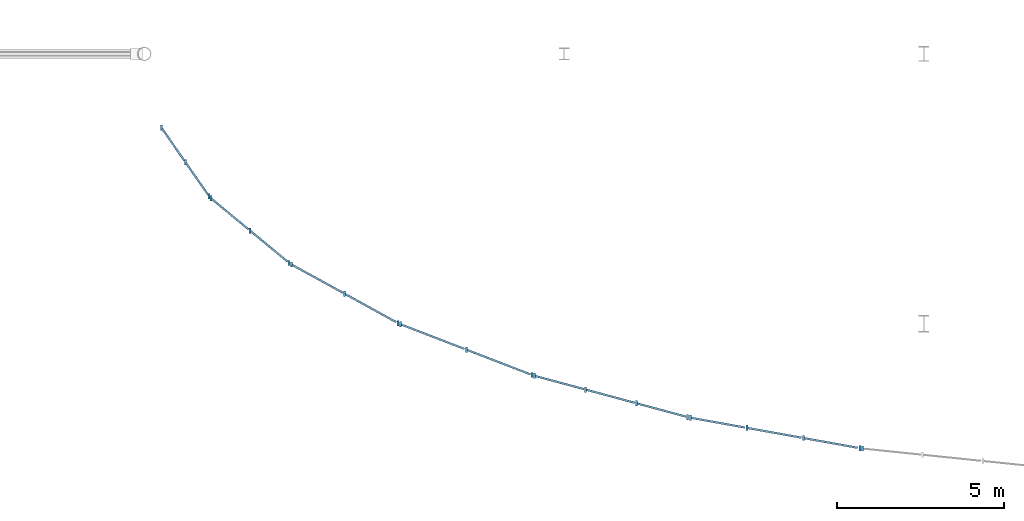
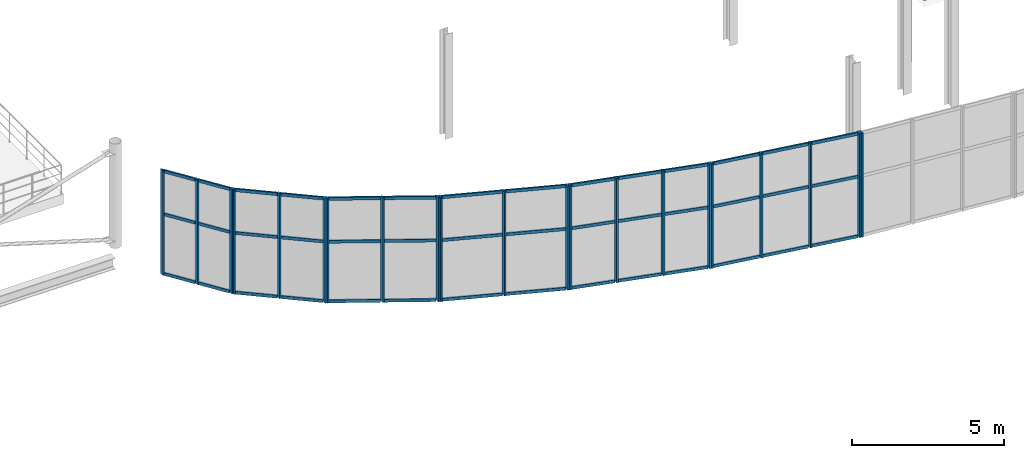
# One storey, part 33 of 89: 63 members, 7 elements without a shape of their own.
"""IFC4 building model written with IfcOpenShell, lengths in metres."""

from ifc_helpers import new_model, si_unit, direction, frame, origin, origin_2d, place, context, subcontext, project, spatial, rectangle, extrude, material, material_profile, profile_set, type_object, element, aggregate, save


model = new_model("IFC4")

# Units and contexts
model_context = context("Model", 3, precision=1e-05, world=origin(), true_north=direction((0.0, 1.0)))
body_context = subcontext(model_context, "Body", "Model", "MODEL_VIEW")
ifc_project = project(units=[si_unit("LENGTHUNIT", "METRE"), si_unit("AREAUNIT", "SQUARE_METRE"), si_unit("VOLUMEUNIT", "CUBIC_METRE"), si_unit("PLANEANGLEUNIT", "RADIAN"), si_unit("MASSUNIT", "GRAM", prefix="KILO"), si_unit("THERMODYNAMICTEMPERATUREUNIT", "KELVIN"), si_unit("POWERUNIT", "WATT")], contexts=[model_context])

# Site, building, storey
site_placement = place(None, origin())
site = spatial("IfcSite", under=ifc_project, at=site_placement, CompositionType="ELEMENT")
building_placement = place(site_placement, origin())
building = spatial("IfcBuilding", under=site, at=building_placement, Name="Solmara Park Aquatics Centre", CompositionType="ELEMENT")
storey_placement = place(building_placement, frame((0.0, 0.0, 5.39990234375)))
storey = spatial("IfcBuildingStorey", under=building, at=storey_placement, Name="L01", CompositionType="ELEMENT", Elevation=5.39990234375)

# Curtain wall, members
ifc_material_1 = material(Name="Anodised Aluminium Curtain Wall Framing", Category="aluminium")
curtain_wall_type = type_object("IfcCurtainWallType", Name="ARC-CW-SYS04", PredefinedType="USERDEFINED", material=ifc_material_1)
curtain_wall_1_placement = place(storey_placement, origin())
curtain_wall_1 = element("IfcCurtainWall", 1, at=curtain_wall_1_placement, inside=storey, type_object=curtain_wall_type, Name="Curtain Wall CW-028", ObjectType="CURTAIN WALL", PredefinedType="USERDEFINED")
ifc_material_2 = material(Name="Anodised Aluminium Alloy 6063-T6", Category="aluminium")
ifc_material_profile_1 = material_profile(ifc_material_2, rectangle(XDim=0.06005859375, YDim=0.159912109375, at=origin_2d()), Name="ALU MULLION 60x160")
ifc_profile_set_1 = profile_set([ifc_material_profile_1], Name="Anodised Aluminium Alloy 6063-T6")
member_type_1 = type_object("IfcMemberType", Name="ARC-CWM-60x160", PredefinedType="MULLION", material=ifc_profile_set_1)
member_1_placement = place(storey_placement, frame((97.11962890625, 10.379150390625, 0.0), z_axis=(0.0, 0.0, 1.0), x_axis=(1.0, 0.0, 0.0)))
member_1 = element("IfcMember", 2, at=member_1_placement, type_object=member_type_1, Name="CW-028 mullion 1", PredefinedType="MULLION", context=body_context, shape_type="SweptSolid", body=[
    extrude(rectangle(XDim=0.06005859375, YDim=0.159912109375, at=origin_2d()), origin(), (0.0, 0.0, 1.0), 4.2001953125),
])
member_2_placement = place(storey_placement, frame((97.83447265625, 9.351318359375, 0.0), z_axis=(0.0, 0.0, 1.0), x_axis=(1.0, 0.0, 0.0)))
member_2 = element("IfcMember", 3, at=member_2_placement, type_object=member_type_1, Name="CW-028 mullion 2", PredefinedType="MULLION", context=body_context, shape_type="SweptSolid", body=[
    extrude(rectangle(XDim=0.06005859375, YDim=0.159912109375, at=origin_2d()), origin(), (0.0, 0.0, 1.0), 4.2001953125),
])
member_3_placement = place(storey_placement, frame((98.54931640625, 8.3232421875, 0.0), z_axis=(0.0, 0.0, 1.0), x_axis=(1.0, 0.0, 0.0)))
member_3 = element("IfcMember", 4, at=member_3_placement, type_object=member_type_1, Name="CW-028 mullion 3", PredefinedType="MULLION", context=body_context, shape_type="SweptSolid", body=[
    extrude(rectangle(XDim=0.06005859375, YDim=0.159912109375, at=origin_2d()), origin(), (0.0, 0.0, 1.0), 4.2001953125),
])

curtain_wall_2_placement = place(storey_placement, origin())
curtain_wall_2 = element("IfcCurtainWall", 5, at=curtain_wall_2_placement, inside=storey, type_object=curtain_wall_type, Name="Curtain Wall CW-030", ObjectType="CURTAIN WALL", PredefinedType="USERDEFINED")
member_4_placement = place(storey_placement, frame((98.602783203125, 8.264892578125, 0.0), z_axis=(0.0, 0.0, 1.0), x_axis=(1.0, 0.0, 0.0)))
member_4 = element("IfcMember", 6, at=member_4_placement, type_object=member_type_1, Name="CW-030 mullion 1", PredefinedType="MULLION", context=body_context, shape_type="SweptSolid", body=[
    extrude(rectangle(XDim=0.06005859375, YDim=0.159912109375, at=origin_2d()), origin(), (0.0, 0.0, 1.0), 4.2001953125),
])
member_5_placement = place(storey_placement, frame((99.776611328125, 7.295166015625, 0.0), z_axis=(0.0, 0.0, 1.0), x_axis=(1.0, 0.0, 0.0)))
member_5 = element("IfcMember", 7, at=member_5_placement, type_object=member_type_1, Name="CW-030 mullion 2", PredefinedType="MULLION", context=body_context, shape_type="SweptSolid", body=[
    extrude(rectangle(XDim=0.06005859375, YDim=0.159912109375, at=origin_2d()), origin(), (0.0, 0.0, 1.0), 4.2001953125),
])
member_6_placement = place(storey_placement, frame((100.9501953125, 6.325439453125, 0.0), z_axis=(0.0, 0.0, 1.0), x_axis=(1.0, 0.0, 0.0)))
member_6 = element("IfcMember", 8, at=member_6_placement, type_object=member_type_1, Name="CW-030 mullion 3", PredefinedType="MULLION", context=body_context, shape_type="SweptSolid", body=[
    extrude(rectangle(XDim=0.06005859375, YDim=0.159912109375, at=origin_2d()), origin(), (0.0, 0.0, 1.0), 4.2001953125),
])

curtain_wall_3_placement = place(storey_placement, origin())
curtain_wall_3 = element("IfcCurtainWall", 9, at=curtain_wall_3_placement, inside=storey, type_object=curtain_wall_type, Name="Curtain Wall CW-032", ObjectType="CURTAIN WALL", PredefinedType="USERDEFINED")
member_7_placement = place(storey_placement, frame((101.01611328125, 6.28076171875, 0.0), z_axis=(0.0, 0.0, 1.0), x_axis=(1.0, 0.0, 0.0)))
member_7 = element("IfcMember", 10, at=member_7_placement, type_object=member_type_1, Name="CW-032 mullion 1", PredefinedType="MULLION", context=body_context, shape_type="SweptSolid", body=[
    extrude(rectangle(XDim=0.06005859375, YDim=0.159912109375, at=origin_2d()), origin(), (0.0, 0.0, 1.0), 4.2001953125),
])
member_8_placement = place(storey_placement, frame((102.615478515625, 5.400390625, 0.0), z_axis=(0.0, 0.0, 1.0), x_axis=(1.0, 0.0, 0.0)))
member_8 = element("IfcMember", 11, at=member_8_placement, type_object=member_type_1, Name="CW-032 mullion 2", PredefinedType="MULLION", context=body_context, shape_type="SweptSolid", body=[
    extrude(rectangle(XDim=0.06005859375, YDim=0.159912109375, at=origin_2d()), origin(), (0.0, 0.0, 1.0), 4.2001953125),
])
member_9_placement = place(storey_placement, frame((104.21533203125, 4.520263671875, 0.0), z_axis=(0.0, 0.0, 1.0), x_axis=(1.0, 0.0, 0.0)))
member_9 = element("IfcMember", 12, at=member_9_placement, type_object=member_type_1, Name="CW-032 mullion 3", PredefinedType="MULLION", context=body_context, shape_type="SweptSolid", body=[
    extrude(rectangle(XDim=0.06005859375, YDim=0.159912109375, at=origin_2d()), origin(), (0.0, 0.0, 1.0), 4.2001953125),
])

curtain_wall_4_placement = place(storey_placement, origin())
curtain_wall_4 = element("IfcCurtainWall", 13, at=curtain_wall_4_placement, inside=storey, type_object=curtain_wall_type, Name="Curtain Wall CW-034", ObjectType="CURTAIN WALL", PredefinedType="USERDEFINED")
member_10_placement = place(storey_placement, frame((104.28759765625, 4.486572265625, 0.0), z_axis=(0.0, 0.0, 1.0), x_axis=(1.0, 0.0, 0.0)))
member_10 = element("IfcMember", 14, at=member_10_placement, type_object=member_type_1, Name="CW-034 mullion 1", PredefinedType="MULLION", context=body_context, shape_type="SweptSolid", body=[
    extrude(rectangle(XDim=0.06005859375, YDim=0.159912109375, at=origin_2d()), origin(), (0.0, 0.0, 1.0), 4.2001953125),
])
member_11_placement = place(storey_placement, frame((106.265380859375, 3.724365234375, 0.0), z_axis=(0.0, 0.0, 1.0), x_axis=(1.0, 0.0, 0.0)))
member_11 = element("IfcMember", 15, at=member_11_placement, type_object=member_type_1, Name="CW-034 mullion 2", PredefinedType="MULLION", context=body_context, shape_type="SweptSolid", body=[
    extrude(rectangle(XDim=0.06005859375, YDim=0.159912109375, at=origin_2d()), origin(), (0.0, 0.0, 1.0), 4.2001953125),
])
member_12_placement = place(storey_placement, frame((108.243408203125, 2.962158203125, 0.0), z_axis=(0.0, 0.0, 1.0), x_axis=(1.0, 0.0, 0.0)))
member_12 = element("IfcMember", 16, at=member_12_placement, type_object=member_type_1, Name="CW-034 mullion 3", PredefinedType="MULLION", context=body_context, shape_type="SweptSolid", body=[
    extrude(rectangle(XDim=0.06005859375, YDim=0.159912109375, at=origin_2d()), origin(), (0.0, 0.0, 1.0), 4.2001953125),
])

curtain_wall_5_placement = place(storey_placement, origin())
curtain_wall_5 = element("IfcCurtainWall", 17, at=curtain_wall_5_placement, inside=storey, type_object=curtain_wall_type, Name="Curtain Wall CW-036", ObjectType="CURTAIN WALL", PredefinedType="USERDEFINED")
member_13_placement = place(storey_placement, frame((108.3193359375, 2.9375, 0.0), z_axis=(0.0, 0.0, 1.0), x_axis=(1.0, 0.0, 0.0)))
member_13 = element("IfcMember", 18, at=member_13_placement, type_object=member_type_1, Name="CW-036 mullion 1", PredefinedType="MULLION", context=body_context, shape_type="SweptSolid", body=[
    extrude(rectangle(XDim=0.06005859375, YDim=0.159912109375, at=origin_2d()), origin(), (0.0, 0.0, 1.0), 4.2001953125),
])
member_14_placement = place(storey_placement, frame((109.85009765625, 2.5244140625, 0.0), z_axis=(0.0, 0.0, 1.0), x_axis=(1.0, 0.0, 0.0)))
member_14 = element("IfcMember", 19, at=member_14_placement, type_object=member_type_1, Name="CW-036 mullion 2", PredefinedType="MULLION", context=body_context, shape_type="SweptSolid", body=[
    extrude(rectangle(XDim=0.06005859375, YDim=0.159912109375, at=origin_2d()), origin(), (0.0, 0.0, 1.0), 4.2001953125),
])
member_15_placement = place(storey_placement, frame((111.380615234375, 2.111572265625, 0.0), z_axis=(0.0, 0.0, 1.0), x_axis=(1.0, 0.0, 0.0)))
member_15 = element("IfcMember", 20, at=member_15_placement, type_object=member_type_1, Name="CW-036 mullion 3", PredefinedType="MULLION", context=body_context, shape_type="SweptSolid", body=[
    extrude(rectangle(XDim=0.06005859375, YDim=0.159912109375, at=origin_2d()), origin(), (0.0, 0.0, 1.0), 4.2001953125),
])
member_16_placement = place(storey_placement, frame((112.911376953125, 1.698486328125, 0.0), z_axis=(0.0, 0.0, 1.0), x_axis=(1.0, 0.0, 0.0)))
member_16 = element("IfcMember", 21, at=member_16_placement, type_object=member_type_1, Name="CW-036 mullion 4", PredefinedType="MULLION", context=body_context, shape_type="SweptSolid", body=[
    extrude(rectangle(XDim=0.06005859375, YDim=0.159912109375, at=origin_2d()), origin(), (0.0, 0.0, 1.0), 4.2001953125),
])

curtain_wall_6_placement = place(storey_placement, origin())
curtain_wall_6 = element("IfcCurtainWall", 22, at=curtain_wall_6_placement, inside=storey, type_object=curtain_wall_type, Name="Curtain Wall CW-038", ObjectType="CURTAIN WALL", PredefinedType="USERDEFINED")
member_17_placement = place(storey_placement, frame((112.989501953125, 1.680908203125, 0.0), z_axis=(0.0, 0.0, 1.0), x_axis=(1.0, 0.0, 0.0)))
member_17 = element("IfcMember", 23, at=member_17_placement, type_object=member_type_1, Name="CW-038 mullion 1", PredefinedType="MULLION", context=body_context, shape_type="SweptSolid", body=[
    extrude(rectangle(XDim=0.06005859375, YDim=0.159912109375, at=origin_2d()), origin(), (0.0, 0.0, 1.0), 4.2001953125),
])
member_18_placement = place(storey_placement, frame((114.68505859375, 1.376220703125, 0.0), z_axis=(0.0, 0.0, 1.0), x_axis=(1.0, 0.0, 0.0)))
member_18 = element("IfcMember", 24, at=member_18_placement, type_object=member_type_1, Name="CW-038 mullion 2", PredefinedType="MULLION", context=body_context, shape_type="SweptSolid", body=[
    extrude(rectangle(XDim=0.06005859375, YDim=0.159912109375, at=origin_2d()), origin(), (0.0, 0.0, 1.0), 4.2001953125),
])
member_19_placement = place(storey_placement, frame((116.380859375, 1.07177734375, 0.0), z_axis=(0.0, 0.0, 1.0), x_axis=(1.0, 0.0, 0.0)))
member_19 = element("IfcMember", 25, at=member_19_placement, type_object=member_type_1, Name="CW-038 mullion 3", PredefinedType="MULLION", context=body_context, shape_type="SweptSolid", body=[
    extrude(rectangle(XDim=0.06005859375, YDim=0.159912109375, at=origin_2d()), origin(), (0.0, 0.0, 1.0), 4.2001953125),
])
member_20_placement = place(storey_placement, frame((118.076416015625, 0.76708984375, 0.0), z_axis=(0.0, 0.0, 1.0), x_axis=(1.0, 0.0, 0.0)))
member_20 = element("IfcMember", 26, at=member_20_placement, type_object=member_type_1, Name="CW-038 mullion 4", PredefinedType="MULLION", context=body_context, shape_type="SweptSolid", body=[
    extrude(rectangle(XDim=0.06005859375, YDim=0.159912109375, at=origin_2d()), origin(), (0.0, 0.0, 1.0), 4.2001953125),
])

# Curtain wall, member
curtain_wall_7_placement = place(storey_placement, origin())
curtain_wall_7 = element("IfcCurtainWall", 27, at=curtain_wall_7_placement, inside=storey, type_object=curtain_wall_type, Name="Curtain Wall CW-041", ObjectType="CURTAIN WALL", PredefinedType="USERDEFINED")
member_21_placement = place(storey_placement, frame((118.15576171875, 0.755859375, 0.0), z_axis=(0.0, 0.0, 1.0), x_axis=(1.0, 0.0, 0.0)))
member_21 = element("IfcMember", 28, at=member_21_placement, type_object=member_type_1, Name="CW-041 mullion 1", PredefinedType="MULLION", context=body_context, shape_type="SweptSolid", body=[
    extrude(rectangle(XDim=0.06005859375, YDim=0.159912109375, at=origin_2d()), origin(), (0.0, 0.0, 1.0), 4.2001953125),
])
aggregate(curtain_wall_7, [member_21])

# Member
ifc_material_profile_2 = material_profile(ifc_material_2, rectangle(XDim=0.06005859375, YDim=0.1201171875, at=origin_2d()), Name="ALU TRANSOM 60x120")
ifc_profile_set_2 = profile_set([ifc_material_profile_2], Name="Anodised Aluminium Alloy 6063-T6")
member_type_2 = type_object("IfcMemberType", Name="ARC-CWT-60x120", PredefinedType="USERDEFINED", material=ifc_profile_set_2)
member_22_placement = place(storey_placement, frame((97.131103515625, 10.36279296875, 0.0400390625), z_axis=(0.570887505732, -0.821028291717, 0.0), x_axis=(0.821028291717, 0.570887505732, 0.0)))
member_22 = element("IfcMember", 29, at=member_22_placement, type_object=member_type_2, Name="CW-028 transom 1", ObjectType="TRANSOM", PredefinedType="USERDEFINED", context=body_context, shape_type="SweptSolid", body=[
    extrude(rectangle(XDim=0.06005859375, YDim=0.1201171875, at=origin_2d()), origin(), (0.0, 0.0, 1.0), 1.172119140625),
])

member_23_placement = place(storey_placement, frame((97.131103515625, 10.36279296875, 2.43603515625), z_axis=(0.570887505732, -0.821028291717, 0.0), x_axis=(0.821028291717, 0.570887505732, 0.0)))
member_23 = element("IfcMember", 30, at=member_23_placement, type_object=member_type_2, Name="CW-028 transom 2", ObjectType="TRANSOM", PredefinedType="USERDEFINED", context=body_context, shape_type="SweptSolid", body=[
    extrude(rectangle(XDim=0.06005859375, YDim=0.1201171875, at=origin_2d()), origin(), (0.0, 0.0, 1.0), 1.172119140625),
])

member_24_placement = place(storey_placement, frame((97.131103515625, 10.36279296875, 4.16015625), z_axis=(0.570887505732, -0.821028291717, 0.0), x_axis=(0.821028291717, 0.570887505732, 0.0)))
member_24 = element("IfcMember", 31, at=member_24_placement, type_object=member_type_2, Name="CW-028 transom 3", ObjectType="TRANSOM", PredefinedType="USERDEFINED", context=body_context, shape_type="SweptSolid", body=[
    extrude(rectangle(XDim=0.06005859375, YDim=0.1201171875, at=origin_2d()), origin(), (0.0, 0.0, 1.0), 1.172119140625),
])

member_25_placement = place(storey_placement, frame((97.845947265625, 9.334716796875, 0.0400390625), z_axis=(0.570844718132, -0.821058041664, 0.0), x_axis=(0.821058041664, 0.570844718132, 0.0)))
member_25 = element("IfcMember", 32, at=member_25_placement, type_object=member_type_2, Name="CW-028 transom 4", ObjectType="TRANSOM", PredefinedType="USERDEFINED", context=body_context, shape_type="SweptSolid", body=[
    extrude(rectangle(XDim=0.06005859375, YDim=0.1201171875, at=origin_2d()), origin(), (0.0, 0.0, 1.0), 1.171875),
])

member_26_placement = place(storey_placement, frame((97.845947265625, 9.334716796875, 2.43603515625), z_axis=(0.570844718132, -0.821058041664, 0.0), x_axis=(0.821058041664, 0.570844718132, 0.0)))
member_26 = element("IfcMember", 33, at=member_26_placement, type_object=member_type_2, Name="CW-028 transom 5", ObjectType="TRANSOM", PredefinedType="USERDEFINED", context=body_context, shape_type="SweptSolid", body=[
    extrude(rectangle(XDim=0.06005859375, YDim=0.1201171875, at=origin_2d()), origin(), (0.0, 0.0, 1.0), 1.171875),
])

member_27_placement = place(storey_placement, frame((97.845947265625, 9.334716796875, 4.16015625), z_axis=(0.570844718132, -0.821058041664, 0.0), x_axis=(0.821058041664, 0.570844718132, 0.0)))
member_27 = element("IfcMember", 34, at=member_27_placement, type_object=member_type_2, Name="CW-028 transom 6", ObjectType="TRANSOM", PredefinedType="USERDEFINED", context=body_context, shape_type="SweptSolid", body=[
    extrude(rectangle(XDim=0.06005859375, YDim=0.1201171875, at=origin_2d()), origin(), (0.0, 0.0, 1.0), 1.171875),
])

aggregate(curtain_wall_1, [member_1, member_2, member_3, member_22, member_23, member_24, member_25, member_26, member_27])

member_28_placement = place(storey_placement, frame((98.618408203125, 8.252197265625, 0.0400390625), z_axis=(0.770878629105, -0.636982055626, 0.0), x_axis=(0.636982055626, 0.770878629105, 0.0)))
member_28 = element("IfcMember", 35, at=member_28_placement, type_object=member_type_2, Name="CW-030 transom 1", ObjectType="TRANSOM", PredefinedType="USERDEFINED", context=body_context, shape_type="SweptSolid", body=[
    extrude(rectangle(XDim=0.06005859375, YDim=0.1201171875, at=origin_2d()), origin(), (0.0, 0.0, 1.0), 1.4423828125),
])

member_29_placement = place(storey_placement, frame((98.618408203125, 8.252197265625, 2.43603515625), z_axis=(0.770878629105, -0.636982055626, 0.0), x_axis=(0.636982055626, 0.770878629105, 0.0)))
member_29 = element("IfcMember", 36, at=member_29_placement, type_object=member_type_2, Name="CW-030 transom 2", ObjectType="TRANSOM", PredefinedType="USERDEFINED", context=body_context, shape_type="SweptSolid", body=[
    extrude(rectangle(XDim=0.06005859375, YDim=0.1201171875, at=origin_2d()), origin(), (0.0, 0.0, 1.0), 1.4423828125),
])

member_30_placement = place(storey_placement, frame((98.618408203125, 8.252197265625, 4.16015625), z_axis=(0.770878629105, -0.636982055626, 0.0), x_axis=(0.636982055626, 0.770878629105, 0.0)))
member_30 = element("IfcMember", 37, at=member_30_placement, type_object=member_type_2, Name="CW-030 transom 3", ObjectType="TRANSOM", PredefinedType="USERDEFINED", context=body_context, shape_type="SweptSolid", body=[
    extrude(rectangle(XDim=0.06005859375, YDim=0.1201171875, at=origin_2d()), origin(), (0.0, 0.0, 1.0), 1.4423828125),
])

member_31_placement = place(storey_placement, frame((99.7919921875, 7.282470703125, 0.0400390625), z_axis=(0.770878629105, -0.636982055626, 0.0), x_axis=(0.636982055626, 0.770878629105, 0.0)))
member_31 = element("IfcMember", 38, at=member_31_placement, type_object=member_type_2, Name="CW-030 transom 4", ObjectType="TRANSOM", PredefinedType="USERDEFINED", context=body_context, shape_type="SweptSolid", body=[
    extrude(rectangle(XDim=0.06005859375, YDim=0.1201171875, at=origin_2d()), origin(), (0.0, 0.0, 1.0), 1.4423828125),
])

member_32_placement = place(storey_placement, frame((99.7919921875, 7.282470703125, 2.43603515625), z_axis=(0.770878629105, -0.636982055626, 0.0), x_axis=(0.636982055626, 0.770878629105, 0.0)))
member_32 = element("IfcMember", 39, at=member_32_placement, type_object=member_type_2, Name="CW-030 transom 5", ObjectType="TRANSOM", PredefinedType="USERDEFINED", context=body_context, shape_type="SweptSolid", body=[
    extrude(rectangle(XDim=0.06005859375, YDim=0.1201171875, at=origin_2d()), origin(), (0.0, 0.0, 1.0), 1.4423828125),
])

member_33_placement = place(storey_placement, frame((99.7919921875, 7.282470703125, 4.16015625), z_axis=(0.770878629105, -0.636982055626, 0.0), x_axis=(0.636982055626, 0.770878629105, 0.0)))
member_33 = element("IfcMember", 40, at=member_33_placement, type_object=member_type_2, Name="CW-030 transom 6", ObjectType="TRANSOM", PredefinedType="USERDEFINED", context=body_context, shape_type="SweptSolid", body=[
    extrude(rectangle(XDim=0.06005859375, YDim=0.1201171875, at=origin_2d()), origin(), (0.0, 0.0, 1.0), 1.4423828125),
])

aggregate(curtain_wall_2, [member_4, member_5, member_6, member_28, member_29, member_30, member_31, member_32, member_33])

member_34_placement = place(storey_placement, frame((101.03369140625, 6.27099609375, 0.0400390625), z_axis=(0.8761095798, -0.482112024516, 0.0), x_axis=(0.482112024516, 0.8761095798, 0.0)))
member_34 = element("IfcMember", 41, at=member_34_placement, type_object=member_type_2, Name="CW-032 transom 1", ObjectType="TRANSOM", PredefinedType="USERDEFINED", context=body_context, shape_type="SweptSolid", body=[
    extrude(rectangle(XDim=0.06005859375, YDim=0.1201171875, at=origin_2d()), origin(), (0.0, 0.0, 1.0), 1.74560546875),
])

member_35_placement = place(storey_placement, frame((101.03369140625, 6.27099609375, 2.43603515625), z_axis=(0.8761095798, -0.482112024516, 0.0), x_axis=(0.482112024516, 0.8761095798, 0.0)))
member_35 = element("IfcMember", 42, at=member_35_placement, type_object=member_type_2, Name="CW-032 transom 2", ObjectType="TRANSOM", PredefinedType="USERDEFINED", context=body_context, shape_type="SweptSolid", body=[
    extrude(rectangle(XDim=0.06005859375, YDim=0.1201171875, at=origin_2d()), origin(), (0.0, 0.0, 1.0), 1.74560546875),
])

member_36_placement = place(storey_placement, frame((101.03369140625, 6.27099609375, 4.16015625), z_axis=(0.8761095798, -0.482112024516, 0.0), x_axis=(0.482112024516, 0.8761095798, 0.0)))
member_36 = element("IfcMember", 43, at=member_36_placement, type_object=member_type_2, Name="CW-032 transom 3", ObjectType="TRANSOM", PredefinedType="USERDEFINED", context=body_context, shape_type="SweptSolid", body=[
    extrude(rectangle(XDim=0.06005859375, YDim=0.1201171875, at=origin_2d()), origin(), (0.0, 0.0, 1.0), 1.74560546875),
])

member_37_placement = place(storey_placement, frame((102.63330078125, 5.390869140625, 0.0400390625), z_axis=(0.876050500936, -0.48221936897, 0.0), x_axis=(0.48221936897, 0.876050500936, 0.0)))
member_37 = element("IfcMember", 44, at=member_37_placement, type_object=member_type_2, Name="CW-032 transom 4", ObjectType="TRANSOM", PredefinedType="USERDEFINED", context=body_context, shape_type="SweptSolid", body=[
    extrude(rectangle(XDim=0.06005859375, YDim=0.1201171875, at=origin_2d()), origin(), (0.0, 0.0, 1.0), 1.74560546875),
])

member_38_placement = place(storey_placement, frame((102.63330078125, 5.390869140625, 2.43603515625), z_axis=(0.876050500936, -0.48221936897, 0.0), x_axis=(0.48221936897, 0.876050500936, 0.0)))
member_38 = element("IfcMember", 45, at=member_38_placement, type_object=member_type_2, Name="CW-032 transom 5", ObjectType="TRANSOM", PredefinedType="USERDEFINED", context=body_context, shape_type="SweptSolid", body=[
    extrude(rectangle(XDim=0.06005859375, YDim=0.1201171875, at=origin_2d()), origin(), (0.0, 0.0, 1.0), 1.74560546875),
])

member_39_placement = place(storey_placement, frame((102.63330078125, 5.390869140625, 4.16015625), z_axis=(0.876050500936, -0.48221936897, 0.0), x_axis=(0.48221936897, 0.876050500936, 0.0)))
member_39 = element("IfcMember", 46, at=member_39_placement, type_object=member_type_2, Name="CW-032 transom 6", ObjectType="TRANSOM", PredefinedType="USERDEFINED", context=body_context, shape_type="SweptSolid", body=[
    extrude(rectangle(XDim=0.06005859375, YDim=0.1201171875, at=origin_2d()), origin(), (0.0, 0.0, 1.0), 1.74560546875),
])

aggregate(curtain_wall_3, [member_7, member_8, member_9, member_34, member_35, member_36, member_37, member_38, member_39])

member_40_placement = place(storey_placement, frame((104.306396484375, 4.479248046875, 0.0400390625), z_axis=(0.933123317616, -0.359556496424, 0.0), x_axis=(0.359556496424, 0.933123317616, 0.0)))
member_40 = element("IfcMember", 47, at=member_40_placement, type_object=member_type_2, Name="CW-034 transom 1", ObjectType="TRANSOM", PredefinedType="USERDEFINED", context=body_context, shape_type="SweptSolid", body=[
    extrude(rectangle(XDim=0.06005859375, YDim=0.1201171875, at=origin_2d()), origin(), (0.0, 0.0, 1.0), 2.039794921875),
])

member_41_placement = place(storey_placement, frame((104.306396484375, 4.479248046875, 2.43603515625), z_axis=(0.933123317616, -0.359556496424, 0.0), x_axis=(0.359556496424, 0.933123317616, 0.0)))
member_41 = element("IfcMember", 48, at=member_41_placement, type_object=member_type_2, Name="CW-034 transom 2", ObjectType="TRANSOM", PredefinedType="USERDEFINED", context=body_context, shape_type="SweptSolid", body=[
    extrude(rectangle(XDim=0.06005859375, YDim=0.1201171875, at=origin_2d()), origin(), (0.0, 0.0, 1.0), 2.039794921875),
])

member_42_placement = place(storey_placement, frame((104.306396484375, 4.479248046875, 4.16015625), z_axis=(0.933123317616, -0.359556496424, 0.0), x_axis=(0.359556496424, 0.933123317616, 0.0)))
member_42 = element("IfcMember", 49, at=member_42_placement, type_object=member_type_2, Name="CW-034 transom 3", ObjectType="TRANSOM", PredefinedType="USERDEFINED", context=body_context, shape_type="SweptSolid", body=[
    extrude(rectangle(XDim=0.06005859375, YDim=0.1201171875, at=origin_2d()), origin(), (0.0, 0.0, 1.0), 2.039794921875),
])

member_43_placement = place(storey_placement, frame((106.2841796875, 3.71728515625, 0.0400390625), z_axis=(0.933123317616, -0.359556496424, 0.0), x_axis=(0.359556496424, 0.933123317616, 0.0)))
member_43 = element("IfcMember", 50, at=member_43_placement, type_object=member_type_2, Name="CW-034 transom 4", ObjectType="TRANSOM", PredefinedType="USERDEFINED", context=body_context, shape_type="SweptSolid", body=[
    extrude(rectangle(XDim=0.06005859375, YDim=0.1201171875, at=origin_2d()), origin(), (0.0, 0.0, 1.0), 2.039794921875),
])

member_44_placement = place(storey_placement, frame((106.2841796875, 3.71728515625, 2.43603515625), z_axis=(0.933123317616, -0.359556496424, 0.0), x_axis=(0.359556496424, 0.933123317616, 0.0)))
member_44 = element("IfcMember", 51, at=member_44_placement, type_object=member_type_2, Name="CW-034 transom 5", ObjectType="TRANSOM", PredefinedType="USERDEFINED", context=body_context, shape_type="SweptSolid", body=[
    extrude(rectangle(XDim=0.06005859375, YDim=0.1201171875, at=origin_2d()), origin(), (0.0, 0.0, 1.0), 2.039794921875),
])

member_45_placement = place(storey_placement, frame((106.2841796875, 3.71728515625, 4.16015625), z_axis=(0.933123317616, -0.359556496424, 0.0), x_axis=(0.359556496424, 0.933123317616, 0.0)))
member_45 = element("IfcMember", 52, at=member_45_placement, type_object=member_type_2, Name="CW-034 transom 6", ObjectType="TRANSOM", PredefinedType="USERDEFINED", context=body_context, shape_type="SweptSolid", body=[
    extrude(rectangle(XDim=0.06005859375, YDim=0.1201171875, at=origin_2d()), origin(), (0.0, 0.0, 1.0), 2.039794921875),
])

aggregate(curtain_wall_4, [member_10, member_11, member_12, member_40, member_41, member_42, member_43, member_44, member_45])

member_46_placement = place(storey_placement, frame((108.338623046875, 2.93212890625, 0.0400390625), z_axis=(0.965482529069, -0.26046782155, 0.0), x_axis=(0.26046782155, 0.965482529069, 0.0)))
member_46 = element("IfcMember", 53, at=member_46_placement, type_object=member_type_2, Name="CW-036 transom 1", ObjectType="TRANSOM", PredefinedType="USERDEFINED", context=body_context, shape_type="SweptSolid", body=[
    extrude(rectangle(XDim=0.06005859375, YDim=0.1201171875, at=origin_2d()), origin(), (0.0, 0.0, 1.0), 1.50537109375),
])

member_47_placement = place(storey_placement, frame((108.338623046875, 2.93212890625, 2.43603515625), z_axis=(0.965482529069, -0.26046782155, 0.0), x_axis=(0.26046782155, 0.965482529069, 0.0)))
member_47 = element("IfcMember", 54, at=member_47_placement, type_object=member_type_2, Name="CW-036 transom 2", ObjectType="TRANSOM", PredefinedType="USERDEFINED", context=body_context, shape_type="SweptSolid", body=[
    extrude(rectangle(XDim=0.06005859375, YDim=0.1201171875, at=origin_2d()), origin(), (0.0, 0.0, 1.0), 1.50537109375),
])

member_48_placement = place(storey_placement, frame((108.338623046875, 2.93212890625, 4.16015625), z_axis=(0.965482529069, -0.26046782155, 0.0), x_axis=(0.26046782155, 0.965482529069, 0.0)))
member_48 = element("IfcMember", 55, at=member_48_placement, type_object=member_type_2, Name="CW-036 transom 3", ObjectType="TRANSOM", PredefinedType="USERDEFINED", context=body_context, shape_type="SweptSolid", body=[
    extrude(rectangle(XDim=0.06005859375, YDim=0.1201171875, at=origin_2d()), origin(), (0.0, 0.0, 1.0), 1.50537109375),
])

member_49_placement = place(storey_placement, frame((109.869384765625, 2.519287109375, 0.0400390625), z_axis=(0.965482529069, -0.26046782155, 0.0), x_axis=(0.26046782155, 0.965482529069, 0.0)))
member_49 = element("IfcMember", 56, at=member_49_placement, type_object=member_type_2, Name="CW-036 transom 4", ObjectType="TRANSOM", PredefinedType="USERDEFINED", context=body_context, shape_type="SweptSolid", body=[
    extrude(rectangle(XDim=0.06005859375, YDim=0.1201171875, at=origin_2d()), origin(), (0.0, 0.0, 1.0), 1.50537109375),
])

member_50_placement = place(storey_placement, frame((109.869384765625, 2.519287109375, 2.43603515625), z_axis=(0.965482529069, -0.26046782155, 0.0), x_axis=(0.26046782155, 0.965482529069, 0.0)))
member_50 = element("IfcMember", 57, at=member_50_placement, type_object=member_type_2, Name="CW-036 transom 5", ObjectType="TRANSOM", PredefinedType="USERDEFINED", context=body_context, shape_type="SweptSolid", body=[
    extrude(rectangle(XDim=0.06005859375, YDim=0.1201171875, at=origin_2d()), origin(), (0.0, 0.0, 1.0), 1.50537109375),
])

member_51_placement = place(storey_placement, frame((109.869384765625, 2.519287109375, 4.16015625), z_axis=(0.965482529069, -0.26046782155, 0.0), x_axis=(0.26046782155, 0.965482529069, 0.0)))
member_51 = element("IfcMember", 58, at=member_51_placement, type_object=member_type_2, Name="CW-036 transom 6", ObjectType="TRANSOM", PredefinedType="USERDEFINED", context=body_context, shape_type="SweptSolid", body=[
    extrude(rectangle(XDim=0.06005859375, YDim=0.1201171875, at=origin_2d()), origin(), (0.0, 0.0, 1.0), 1.50537109375),
])

member_52_placement = place(storey_placement, frame((111.39990234375, 2.106201171875, 0.0400390625), z_axis=(0.965493529626, -0.260427042086, 0.0), x_axis=(0.260427042086, 0.965493529626, 0.0)))
member_52 = element("IfcMember", 59, at=member_52_placement, type_object=member_type_2, Name="CW-036 transom 7", ObjectType="TRANSOM", PredefinedType="USERDEFINED", context=body_context, shape_type="SweptSolid", body=[
    extrude(rectangle(XDim=0.06005859375, YDim=0.1201171875, at=origin_2d()), origin(), (0.0, 0.0, 1.0), 1.505615234375),
])

member_53_placement = place(storey_placement, frame((111.39990234375, 2.106201171875, 2.43603515625), z_axis=(0.965493529626, -0.260427042086, 0.0), x_axis=(0.260427042086, 0.965493529626, 0.0)))
member_53 = element("IfcMember", 60, at=member_53_placement, type_object=member_type_2, Name="CW-036 transom 8", ObjectType="TRANSOM", PredefinedType="USERDEFINED", context=body_context, shape_type="SweptSolid", body=[
    extrude(rectangle(XDim=0.06005859375, YDim=0.1201171875, at=origin_2d()), origin(), (0.0, 0.0, 1.0), 1.505615234375),
])

member_54_placement = place(storey_placement, frame((111.39990234375, 2.106201171875, 4.16015625), z_axis=(0.965493529626, -0.260427042086, 0.0), x_axis=(0.260427042086, 0.965493529626, 0.0)))
member_54 = element("IfcMember", 61, at=member_54_placement, type_object=member_type_2, Name="CW-036 transom 9", ObjectType="TRANSOM", PredefinedType="USERDEFINED", context=body_context, shape_type="SweptSolid", body=[
    extrude(rectangle(XDim=0.06005859375, YDim=0.1201171875, at=origin_2d()), origin(), (0.0, 0.0, 1.0), 1.505615234375),
])

aggregate(curtain_wall_5, [member_13, member_14, member_15, member_16, member_46, member_47, member_48, member_49, member_50, member_51, member_52, member_53, member_54])

member_55_placement = place(storey_placement, frame((113.009033203125, 1.677490234375, 0.0400390625), z_axis=(0.984238723522, -0.176844946549, 0.0), x_axis=(0.176844946549, 0.984238723522, 0.0)))
member_55 = element("IfcMember", 62, at=member_55_placement, type_object=member_type_2, Name="CW-038 transom 1", ObjectType="TRANSOM", PredefinedType="USERDEFINED", context=body_context, shape_type="SweptSolid", body=[
    extrude(rectangle(XDim=0.06005859375, YDim=0.1201171875, at=origin_2d()), origin(), (0.0, 0.0, 1.0), 1.642822265625),
])

member_56_placement = place(storey_placement, frame((113.009033203125, 1.677490234375, 2.43603515625), z_axis=(0.984238723522, -0.176844946549, 0.0), x_axis=(0.176844946549, 0.984238723522, 0.0)))
member_56 = element("IfcMember", 63, at=member_56_placement, type_object=member_type_2, Name="CW-038 transom 2", ObjectType="TRANSOM", PredefinedType="USERDEFINED", context=body_context, shape_type="SweptSolid", body=[
    extrude(rectangle(XDim=0.06005859375, YDim=0.1201171875, at=origin_2d()), origin(), (0.0, 0.0, 1.0), 1.642822265625),
])

member_57_placement = place(storey_placement, frame((113.009033203125, 1.677490234375, 4.16015625), z_axis=(0.984238723522, -0.176844946549, 0.0), x_axis=(0.176844946549, 0.984238723522, 0.0)))
member_57 = element("IfcMember", 64, at=member_57_placement, type_object=member_type_2, Name="CW-038 transom 3", ObjectType="TRANSOM", PredefinedType="USERDEFINED", context=body_context, shape_type="SweptSolid", body=[
    extrude(rectangle(XDim=0.06005859375, YDim=0.1201171875, at=origin_2d()), origin(), (0.0, 0.0, 1.0), 1.642822265625),
])

member_58_placement = place(storey_placement, frame((114.704833984375, 1.372802734375, 0.0400390625), z_axis=(0.984238723522, -0.176844946549, 0.0), x_axis=(0.176844946549, 0.984238723522, 0.0)))
member_58 = element("IfcMember", 65, at=member_58_placement, type_object=member_type_2, Name="CW-038 transom 4", ObjectType="TRANSOM", PredefinedType="USERDEFINED", context=body_context, shape_type="SweptSolid", body=[
    extrude(rectangle(XDim=0.06005859375, YDim=0.1201171875, at=origin_2d()), origin(), (0.0, 0.0, 1.0), 1.642822265625),
])

member_59_placement = place(storey_placement, frame((114.704833984375, 1.372802734375, 2.43603515625), z_axis=(0.984238723522, -0.176844946549, 0.0), x_axis=(0.176844946549, 0.984238723522, 0.0)))
member_59 = element("IfcMember", 66, at=member_59_placement, type_object=member_type_2, Name="CW-038 transom 5", ObjectType="TRANSOM", PredefinedType="USERDEFINED", context=body_context, shape_type="SweptSolid", body=[
    extrude(rectangle(XDim=0.06005859375, YDim=0.1201171875, at=origin_2d()), origin(), (0.0, 0.0, 1.0), 1.642822265625),
])

member_60_placement = place(storey_placement, frame((114.704833984375, 1.372802734375, 4.16015625), z_axis=(0.984238723522, -0.176844946549, 0.0), x_axis=(0.176844946549, 0.984238723522, 0.0)))
member_60 = element("IfcMember", 67, at=member_60_placement, type_object=member_type_2, Name="CW-038 transom 6", ObjectType="TRANSOM", PredefinedType="USERDEFINED", context=body_context, shape_type="SweptSolid", body=[
    extrude(rectangle(XDim=0.06005859375, YDim=0.1201171875, at=origin_2d()), origin(), (0.0, 0.0, 1.0), 1.642822265625),
])

member_61_placement = place(storey_placement, frame((116.400390625, 1.068115234375, 0.0400390625), z_axis=(0.984243370127, -0.176819083703, 0.0), x_axis=(0.176819083703, 0.984243370127, 0.0)))
member_61 = element("IfcMember", 68, at=member_61_placement, type_object=member_type_2, Name="CW-038 transom 7", ObjectType="TRANSOM", PredefinedType="USERDEFINED", context=body_context, shape_type="SweptSolid", body=[
    extrude(rectangle(XDim=0.06005859375, YDim=0.1201171875, at=origin_2d()), origin(), (0.0, 0.0, 1.0), 1.64306640625),
])

member_62_placement = place(storey_placement, frame((116.400390625, 1.068115234375, 2.43603515625), z_axis=(0.984243370127, -0.176819083703, 0.0), x_axis=(0.176819083703, 0.984243370127, 0.0)))
member_62 = element("IfcMember", 69, at=member_62_placement, type_object=member_type_2, Name="CW-038 transom 8", ObjectType="TRANSOM", PredefinedType="USERDEFINED", context=body_context, shape_type="SweptSolid", body=[
    extrude(rectangle(XDim=0.06005859375, YDim=0.1201171875, at=origin_2d()), origin(), (0.0, 0.0, 1.0), 1.64306640625),
])

member_63_placement = place(storey_placement, frame((116.400390625, 1.068115234375, 4.16015625), z_axis=(0.984243370127, -0.176819083703, 0.0), x_axis=(0.176819083703, 0.984243370127, 0.0)))
member_63 = element("IfcMember", 70, at=member_63_placement, type_object=member_type_2, Name="CW-038 transom 9", ObjectType="TRANSOM", PredefinedType="USERDEFINED", context=body_context, shape_type="SweptSolid", body=[
    extrude(rectangle(XDim=0.06005859375, YDim=0.1201171875, at=origin_2d()), origin(), (0.0, 0.0, 1.0), 1.64306640625),
])

aggregate(curtain_wall_6, [member_17, member_18, member_19, member_20, member_55, member_56, member_57, member_58, member_59, member_60, member_61, member_62, member_63])

save(model, "model.ifc")
